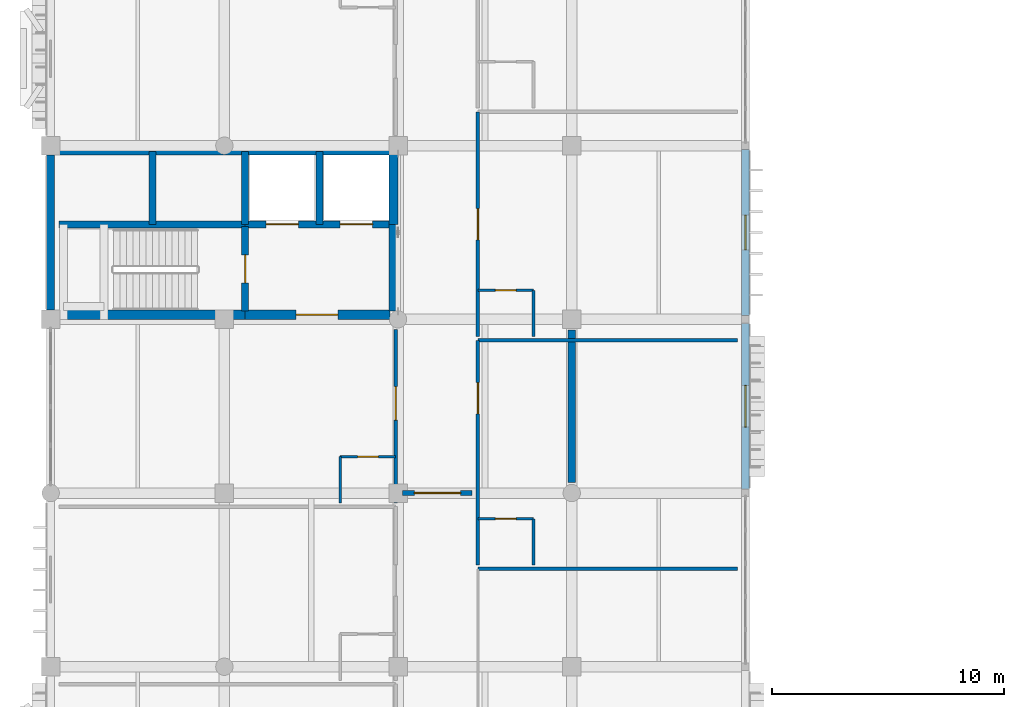
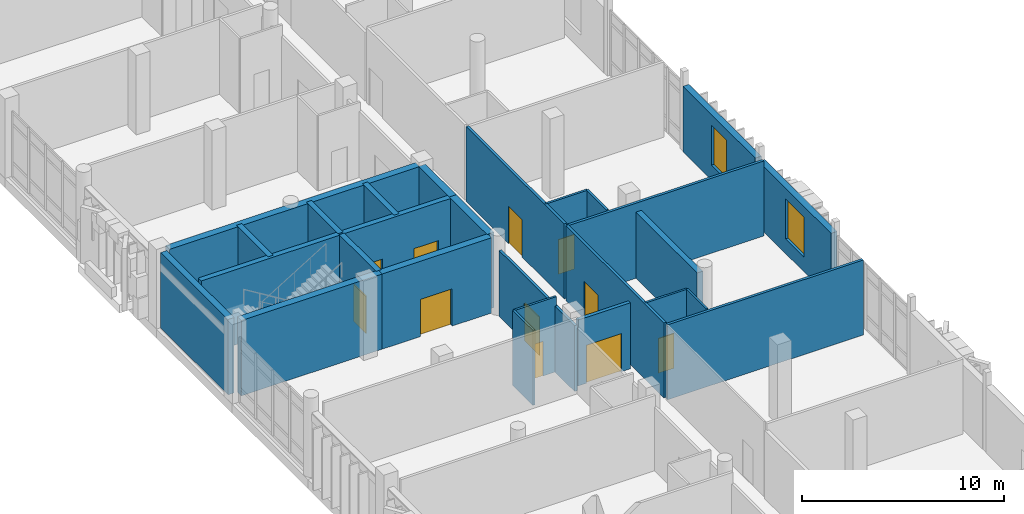
# One storey, part 101 of 131: 27 walls, 11 doors, 2 windows, 13 openings.
"""IFC4 building model written with IfcOpenShell, lengths in metres."""

from ifc_helpers import new_model, si_unit, direction, frame, frame_2d, origin, place, context, subcontext, project, spatial, rectangle, extrude, material, layer, layer_set, type_object, element, fill, save


model = new_model("IFC4")

# Units and contexts
model_context = context("Model", 3, precision=1e-05, world=origin(), true_north=direction((0.0, 1.0)))
body_context = subcontext(model_context, "Body", "Model", "MODEL_VIEW")
ifc_project = project(units=[si_unit("LENGTHUNIT", "METRE"), si_unit("AREAUNIT", "SQUARE_METRE"), si_unit("VOLUMEUNIT", "CUBIC_METRE"), si_unit("PLANEANGLEUNIT", "RADIAN"), si_unit("MASSUNIT", "GRAM", prefix="KILO")], contexts=[model_context])

# Site, building, storey
site_placement = place(None, origin())
site = spatial("IfcSite", under=ifc_project, at=site_placement, CompositionType="ELEMENT")
building_placement = place(site_placement, origin())
building = spatial("IfcBuilding", under=site, at=building_placement, Name="Dalvernix Boulevard General Hospital", CompositionType="ELEMENT")
storey_placement = place(building_placement, frame((0.0, 0.0, 9.300048828125)))
storey = spatial("IfcBuildingStorey", under=building, at=storey_placement, Name="L02", CompositionType="ELEMENT", Elevation=9.300048828125)

# Wall
ifc_material_1 = material(Name="Concrete C40/50", Category="concrete")
ifc_layer_1 = layer(ifc_material_1, 0.39990234375)
ifc_layer_set_1 = layer_set([ifc_layer_1], Name="Concrete C40/50 (WAL-CSW-01)")
wall_type_1 = type_object("IfcWallType", Name="WAL-CSW-01", PredefinedType="SHEAR", material=ifc_layer_set_1)
wall_1_placement = place(storey_placement, frame((0.35009765625, 54.199951171875, 0.0), z_axis=(0.0, 0.0, 1.0), x_axis=(1.0, 0.0, 0.0)))
element("IfcWall", 1, at=wall_1_placement, inside=storey, type_object=wall_type_1, Name="L02 C2 south stairwell wall", PredefinedType="SHEAR", context=body_context, shape_type="SweptSolid", body=[
    extrude(rectangle(XDim=8.0498046875, YDim=0.39990234375, at=frame_2d((4.02490234375, 0.0))), origin(), (0.0, 0.0, 1.0), 4.550048828125),
])

# Wall, opening, door
wall_2_placement = place(storey_placement, frame((8.39990234375, 54.199951171875, 0.0), z_axis=(0.0, 0.0, 1.0), x_axis=(1.0, 0.0, 0.0)))
wall_2 = element("IfcWall", 2, at=wall_2_placement, inside=storey, type_object=wall_type_1, Name="L02 C2 south firefighting lobby wall", PredefinedType="SHEAR", context=body_context, shape_type="SweptSolid", body=[
    extrude(rectangle(XDim=6.25, YDim=0.39990234375, at=frame_2d((3.125, 0.0))), origin(), (0.0, 0.0, 1.0), 4.550048828125),
])
opening_1_placement = place(wall_2_placement, frame((2.199951171875, 0.0, 0.0)))
opening_1 = element("IfcOpeningElement", 3, at=opening_1_placement, cuts=wall_2, Name="Opening FD-01", PredefinedType="OPENING", context=body_context, shape_type="SweptSolid", body=[
    extrude(rectangle(XDim=1.800048828125, YDim=2.25, at=frame_2d((0.89990234375, 1.125))), frame((0.0, 0.2099609375, 0.0), z_axis=(0.0, -1.0, 0.0), x_axis=(1.0, 0.0, 0.0)), (0.0, 0.0, 1.0), 0.419921875),
])
ifc_material_2 = material(Name="Hospital laminate acoustic timber and steel frame", Category="steel")
door_type_1 = type_object("IfcDoorType", Name="DR-FD-01", OperationType="DOUBLE_DOOR_SINGLE_SWING", PredefinedType="DOOR", material=ifc_material_2)
door_1_placement = place(opening_1_placement, origin())
door_1 = element("IfcDoor", 4, at=door_1_placement, inside=storey, type_object=door_type_1, Name="L02 C2 firefighting lobby door", OperationType="DOUBLE_DOOR_SINGLE_SWING", OverallHeight=2.25, OverallWidth=1.800048828125, PredefinedType="DOOR", context=body_context, shape_type="SweptSolid", body=[
    extrude(rectangle(XDim=1.800048828125, YDim=2.25, at=frame_2d((0.89990234375, 1.125))), frame((0.0, 0.02490234375, 0.0), z_axis=(0.0, -1.0, 0.0), x_axis=(1.0, 0.0, 0.0)), (0.0, 0.0, 1.0), 0.050048828125),
])
fill(opening_1, door_1)

# Walls
wall_3_placement = place(storey_placement, frame((0.35009765625, 61.300048828125, 0.0), z_axis=(0.0, 0.0, 1.0), x_axis=(1.0, 0.0, 0.0)))
element("IfcWall", 5, at=wall_3_placement, inside=storey, type_object=wall_type_1, Name="L02 C2 north shaft core wall", PredefinedType="SHEAR", context=body_context, shape_type="SweptSolid", body=[
    extrude(rectangle(XDim=14.2998046875, YDim=0.39990234375, at=frame_2d((7.14990234375, 0.0))), origin(), (0.0, 0.0, 1.0), 4.550048828125),
])
wall_4_placement = place(storey_placement, frame((14.800048828125, 54.35009765625, 0.0), z_axis=(0.0, 0.0, 1.0), x_axis=(0.0, 1.0, 0.0)))
element("IfcWall", 6, at=wall_4_placement, inside=storey, type_object=wall_type_1, Name="L02 C2 east lobby core wall", PredefinedType="SHEAR", context=body_context, shape_type="SweptSolid", body=[
    extrude(rectangle(XDim=3.75, YDim=0.39990234375, at=frame_2d((1.875, 0.0))), origin(), (0.0, 0.0, 1.0), 4.550048828125),
])
wall_5_placement = place(storey_placement, frame((14.800048828125, 58.10009765625, 0.0), z_axis=(0.0, 0.0, 1.0), x_axis=(0.0, 1.0, 0.0)))
element("IfcWall", 7, at=wall_5_placement, inside=storey, type_object=wall_type_1, Name="L02 C2 east shaft core wall", PredefinedType="SHEAR", context=body_context, shape_type="SweptSolid", body=[
    extrude(rectangle(XDim=3.0498046875, YDim=0.39990234375, at=frame_2d((1.52490234375, 0.0))), origin(), (0.0, 0.0, 1.0), 4.550048828125),
])
ifc_layer_2 = layer(ifc_material_1, 0.300048828125)
ifc_layer_set_2 = layer_set([ifc_layer_2], Name="Concrete C40/50 (WAL-CSW-02)")
wall_type_2 = type_object("IfcWallType", Name="WAL-CSW-02", PredefinedType="SHEAR", material=ifc_layer_set_2)
wall_6_placement = place(storey_placement, frame((0.35009765625, 58.10009765625, 0.0), z_axis=(0.0, 0.0, 1.0), x_axis=(1.0, 0.0, 0.0)))
element("IfcWall", 8, at=wall_6_placement, inside=storey, type_object=wall_type_2, Name="L02 C2 riser spine wall", PredefinedType="SHEAR", context=body_context, shape_type="SweptSolid", body=[
    extrude(rectangle(XDim=8.0498046875, YDim=0.300048828125, at=frame_2d((4.02490234375, 0.0))), origin(), (0.0, 0.0, 1.0), 4.550048828125),
])

# Wall, openings, doors
wall_7_placement = place(storey_placement, frame((8.39990234375, 58.10009765625, 0.0), z_axis=(0.0, 0.0, 1.0), x_axis=(1.0, 0.0, 0.0)))
wall_7 = element("IfcWall", 9, at=wall_7_placement, inside=storey, type_object=wall_type_2, Name="L02 C2 lift shaft front wall", PredefinedType="SHEAR", context=body_context, shape_type="SweptSolid", body=[
    extrude(rectangle(XDim=6.25, YDim=0.300048828125, at=frame_2d((3.125, 0.0))), origin(), (0.0, 0.0, 1.0), 4.550048828125),
])
opening_2_placement = place(wall_7_placement, frame((0.89990234375, 0.0, 0.0)))
opening_2 = element("IfcOpeningElement", 10, at=opening_2_placement, cuts=wall_7, Name="Opening LD-FFL-03-L02", PredefinedType="OPENING", context=body_context, shape_type="SweptSolid", body=[
    extrude(rectangle(XDim=1.39990234375, YDim=2.25, at=frame_2d((0.699951171875, 1.125))), frame((0.0, 0.159912109375, 0.0), z_axis=(0.0, -1.0, 0.0), x_axis=(1.0, 0.0, 0.0)), (0.0, 0.0, 1.0), 0.320068359375),
])
opening_3_placement = place(wall_7_placement, frame((4.10009765625, 0.0, 0.0)))
opening_3 = element("IfcOpeningElement", 11, at=opening_3_placement, cuts=wall_7, Name="Opening LD-FFL-04-L02", PredefinedType="OPENING", context=body_context, shape_type="SweptSolid", body=[
    extrude(rectangle(XDim=1.39990234375, YDim=2.25, at=frame_2d((0.699951171875, 1.125))), frame((0.0, 0.159912109375, 0.0), z_axis=(0.0, -1.0, 0.0), x_axis=(1.0, 0.0, 0.0)), (0.0, 0.0, 1.0), 0.320068359375),
])
ifc_material_3 = material(Name="Stainless-clad steel", Category="steel")
door_type_2 = type_object("IfcDoorType", Name="DR-LD-01", OperationType="DOUBLE_DOOR_SLIDING", PredefinedType="DOOR", material=ifc_material_3)
door_2_placement = place(opening_2_placement, origin())
door_2 = element("IfcDoor", 12, at=door_2_placement, inside=storey, type_object=door_type_2, Name="L02 Lift FFL-03 sliding landing door", OperationType="DOUBLE_DOOR_SLIDING", OverallHeight=2.25, OverallWidth=1.39990234375, PredefinedType="DOOR", context=body_context, shape_type="SweptSolid", body=[
    extrude(rectangle(XDim=1.39990234375, YDim=2.25, at=frame_2d((0.699951171875, 1.125))), frame((0.0, 0.02490234375, 0.0), z_axis=(0.0, -1.0, 0.0), x_axis=(1.0, 0.0, 0.0)), (0.0, 0.0, 1.0), 0.050048828125),
])
fill(opening_2, door_2)
door_3_placement = place(opening_3_placement, origin())
door_3 = element("IfcDoor", 13, at=door_3_placement, inside=storey, type_object=door_type_2, Name="L02 Lift FFL-04 sliding landing door", OperationType="DOUBLE_DOOR_SLIDING", OverallHeight=2.25, OverallWidth=1.39990234375, PredefinedType="DOOR", context=body_context, shape_type="SweptSolid", body=[
    extrude(rectangle(XDim=1.39990234375, YDim=2.25, at=frame_2d((0.699951171875, 1.125))), frame((0.0, 0.02490234375, 0.0), z_axis=(0.0, -1.0, 0.0), x_axis=(1.0, 0.0, 0.0)), (0.0, 0.0, 1.0), 0.050048828125),
])
fill(opening_3, door_3)

# Wall, opening, door
wall_8_placement = place(storey_placement, frame((8.39990234375, 58.0, 0.0), z_axis=(0.0, 0.0, 1.0), x_axis=(0.0, -1.0, 0.0)))
wall_8 = element("IfcWall", 14, at=wall_8_placement, inside=storey, type_object=wall_type_2, Name="L02 C2 stairwell fire wall", PredefinedType="SHEAR", context=body_context, shape_type="SweptSolid", body=[
    extrude(rectangle(XDim=3.64990234375, YDim=0.300048828125, at=frame_2d((1.824951171875, 0.0))), origin(), (0.0, 0.0, 1.0), 4.550048828125),
])
opening_4_placement = place(wall_8_placement, frame((1.219970703125, 0.0, 0.0)))
opening_4 = element("IfcOpeningElement", 15, at=opening_4_placement, cuts=wall_8, Name="Opening FD-02", PredefinedType="OPENING", context=body_context, shape_type="SweptSolid", body=[
    extrude(rectangle(XDim=1.199951171875, YDim=2.25, at=frame_2d((0.60009765625, 1.125))), frame((0.0, 0.159912109375, 0.0), z_axis=(0.0, -1.0, 0.0), x_axis=(1.0, 0.0, 0.0)), (0.0, 0.0, 1.0), 0.320068359375),
])
door_type_3 = type_object("IfcDoorType", Name="DR-FD-02", OperationType="NOTDEFINED", PredefinedType="DOOR", material=ifc_material_2)
door_4_placement = place(opening_4_placement, origin())
door_4 = element("IfcDoor", 16, at=door_4_placement, inside=storey, type_object=door_type_3, Name="L02 Stair ST-02 fire door", OperationType="SINGLE_SWING_RIGHT", OverallHeight=2.25, OverallWidth=1.199951171875, PredefinedType="DOOR", context=body_context, shape_type="SweptSolid", body=[
    extrude(rectangle(XDim=1.199951171875, YDim=2.25, at=frame_2d((0.60009765625, 1.125))), frame((0.0, 0.02490234375, 0.0), z_axis=(0.0, -1.0, 0.0), x_axis=(1.0, 0.0, 0.0)), (0.0, 0.0, 1.0), 0.050048828125),
])
fill(opening_4, door_4)

# Walls
for number, where, z_axis, x_axis, name in (
    (17, (4.39990234375, 58.10009765625, 0.0), (0.0, 0.0, 1.0), (0.0, 1.0, 0.0), "L02 C2 shaft divider R1"),
    (18, (8.39990234375, 58.10009765625, 0.0), (0.0, 0.0, 1.0), (0.0, 1.0, 0.0), "L02 C2 shaft divider R2"),
    (19, (11.60009765625, 58.10009765625, 0.0), (0.0, 0.0, 1.0), (0.0, 1.0, 0.0), "L02 C2 shaft divider L1"),
):
    element("IfcWall", number, at=place(storey_placement, frame(where, z_axis=z_axis, x_axis=x_axis)), inside=storey, type_object=wall_type_2, Name=name, PredefinedType="SHEAR", context=body_context, shape_type="SweptSolid", body=[
        extrude(rectangle(XDim=3.14990234375, YDim=0.300048828125, at=frame_2d((1.574951171875, 0.0))), origin(), (0.0, 0.0, 1.0), 4.550048828125),
    ])
ifc_layer_3 = layer(ifc_material_1, 0.35009765625)
ifc_layer_set_3 = layer_set([ifc_layer_3], Name="Concrete C40/50 (WAL-ESW-01)")
wall_type_3 = type_object("IfcWallType", Name="WAL-ESW-01", PredefinedType="SHEAR", material=ifc_layer_set_3)
wall_9_placement = place(storey_placement, frame((0.0, 54.409912109375, 0.0), z_axis=(0.0, 0.0, 1.0), x_axis=(0.0, 1.0, 0.0)))
element("IfcWall", 20, at=wall_9_placement, inside=storey, type_object=wall_type_3, Name="L02 core perimeter shear wall W 0-7", PredefinedType="SHEAR", context=body_context, shape_type="SweptSolid", body=[
    extrude(rectangle(XDim=6.68017578125, YDim=0.35009765625, at=frame_2d((3.340087890625, 0.0))), origin(), (0.0, 0.0, 1.0), 4.550048828125),
])
ifc_layer_4 = layer(ifc_material_1, 0.320068359375)
ifc_layer_set_4 = layer_set([ifc_layer_4], Name="Concrete C40/50 (WAL-ESW-02)")
wall_type_4 = type_object("IfcWallType", Name="WAL-ESW-02", PredefinedType="SHEAR", material=ifc_layer_set_4)
wall_10_placement = place(storey_placement, frame((22.5, 46.949951171875, 0.0), z_axis=(0.0, 0.0, 1.0), x_axis=(0.0, 1.0, 0.0)))
element("IfcWall", 21, at=wall_10_placement, inside=storey, type_object=wall_type_4, Name="L02 reinforced concrete shear wall 2", PredefinedType="SHEAR", context=body_context, shape_type="SweptSolid", body=[
    extrude(rectangle(XDim=6.60009765625, YDim=0.320068359375, at=frame_2d((3.300048828125, 0.0))), origin(), (0.0, 0.0, 1.0), 4.0),
])

# Wall, opening, window
ifc_material_4 = material(Name="Pressed Catalan clay brick and insulated concrete cavity wall C35/45", Category="masonry")
ifc_layer_5 = layer(ifc_material_4, 0.35009765625)
ifc_layer_set_5 = layer_set([ifc_layer_5], Name="Pressed Catalan clay brick and insulated concrete cavity wall C35/45 (WAL-EW-01)")
wall_type_5 = type_object("IfcWallType", Name="WAL-EW-01", PredefinedType="STANDARD", material=ifc_layer_set_5)
wall_11_placement = place(storey_placement, frame((30.0, 53.830078125, 0.0), z_axis=(0.0, 0.0, 1.0), x_axis=(0.0, -1.0, 0.0)))
wall_11 = element("IfcWall", 22, at=wall_11_placement, inside=storey, type_object=wall_type_5, Name="L02 Catalan brick external wall E 4-6", PredefinedType="STANDARD", context=body_context, shape_type="SweptSolid", body=[
    extrude(rectangle(XDim=7.16015625, YDim=0.35009765625, at=frame_2d((3.580078125, 0.0))), origin(), (0.0, 0.0, 1.0), 3.949951171875),
])
opening_5_placement = place(wall_11_placement, frame((2.679931640625, 0.0, 0.89990234375)))
opening_5 = element("IfcOpeningElement", 23, at=opening_5_placement, cuts=wall_11, Name="Opening WN-01", PredefinedType="OPENING", context=body_context, shape_type="SweptSolid", body=[
    extrude(rectangle(XDim=1.800048828125, YDim=2.39990234375, at=frame_2d((0.89990234375, 1.199951171875))), frame((0.0, 0.18505859375, 0.0), z_axis=(0.0, -1.0, 0.0), x_axis=(1.0, 0.0, 0.0)), (0.0, 0.0, 1.0), 0.3701171875),
])
ifc_material_5 = material(Name="Thermally broken aluminium frame with solar-control double glazing", Category="aluminium")
window_type_1 = type_object("IfcWindowType", Name="WIN-WN-01", PartitioningType="SINGLE_PANEL", PredefinedType="WINDOW", material=ifc_material_5)
window_1_placement = place(opening_5_placement, origin())
window_1 = element("IfcWindow", 24, at=window_1_placement, inside=storey, type_object=window_type_1, Name="L02 clinical window WN-01 E 4-6", OverallHeight=2.39990234375, OverallWidth=1.800048828125, PartitioningType="SINGLE_PANEL", PredefinedType="WINDOW", context=body_context, shape_type="SweptSolid", body=[
    extrude(rectangle(XDim=1.800048828125, YDim=2.39990234375, at=frame_2d((0.89990234375, 1.199951171875))), frame((0.0, 0.030029296875, 0.0), z_axis=(0.0, -1.0, 0.0), x_axis=(1.0, 0.0, 0.0)), (0.0, 0.0, 1.0), 0.06005859375),
])
fill(opening_5, window_1)

wall_12_placement = place(storey_placement, frame((30.0, 61.330078125, 0.0), z_axis=(0.0, 0.0, 1.0), x_axis=(0.0, -1.0, 0.0)))
wall_12 = element("IfcWall", 25, at=wall_12_placement, inside=storey, type_object=wall_type_5, Name="L02 Catalan brick external wall E 4-7", PredefinedType="STANDARD", context=body_context, shape_type="SweptSolid", body=[
    extrude(rectangle(XDim=7.16015625, YDim=0.35009765625, at=frame_2d((3.580078125, 0.0))), origin(), (0.0, 0.0, 1.0), 3.949951171875),
])
opening_6_placement = place(wall_12_placement, frame((2.830078125, 0.0, 0.89990234375)))
opening_6 = element("IfcOpeningElement", 26, at=opening_6_placement, cuts=wall_12, Name="Opening WN-02", PredefinedType="OPENING", context=body_context, shape_type="SweptSolid", body=[
    extrude(rectangle(XDim=1.5, YDim=2.39990234375, at=frame_2d((0.75, 1.199951171875))), frame((0.0, 0.18505859375, 0.0), z_axis=(0.0, -1.0, 0.0), x_axis=(1.0, 0.0, 0.0)), (0.0, 0.0, 1.0), 0.3701171875),
])
window_type_2 = type_object("IfcWindowType", Name="WIN-WN-02", PartitioningType="SINGLE_PANEL", PredefinedType="WINDOW", material=ifc_material_5)
window_2_placement = place(opening_6_placement, origin())
window_2 = element("IfcWindow", 27, at=window_2_placement, inside=storey, type_object=window_type_2, Name="L02 clinical window WN-02 E 4-7", OverallHeight=2.39990234375, OverallWidth=1.5, PartitioningType="SINGLE_PANEL", PredefinedType="WINDOW", context=body_context, shape_type="SweptSolid", body=[
    extrude(rectangle(XDim=1.5, YDim=2.39990234375, at=frame_2d((0.75, 1.199951171875))), frame((0.0, 0.030029296875, 0.0), z_axis=(0.0, -1.0, 0.0), x_axis=(1.0, 0.0, 0.0)), (0.0, 0.0, 1.0), 0.06005859375),
])
fill(opening_6, window_2)

# Wall, opening, door
ifc_material_6 = material(Name="Fire-compartment corridor masonry wall", Category="masonry")
ifc_layer_6 = layer(ifc_material_6, 0.199951171875)
ifc_layer_set_6 = layer_set([ifc_layer_6], Name="Fire-compartment corridor masonry wall (WAL-IW-02)")
wall_type_6 = type_object("IfcWallType", Name="WAL-IW-02", PredefinedType="STANDARD", material=ifc_layer_set_6)
wall_13_placement = place(storey_placement, frame((15.199951171875, 46.5, 0.0), z_axis=(0.0, 0.0, 1.0), x_axis=(1.0, 0.0, 0.0)))
wall_13 = element("IfcWall", 28, at=wall_13_placement, inside=storey, type_object=wall_type_6, Name="L02 horizontal progressive evacuation compartment wall 3", PredefinedType="STANDARD", context=body_context, shape_type="SweptSolid", body=[
    extrude(rectangle(XDim=3.0, YDim=0.199951171875, at=frame_2d((1.5, 0.0))), origin(), (0.0, 0.0, 1.0), 3.98486328125),
])
opening_7_placement = place(wall_13_placement, frame((0.5, 0.0, 0.0)))
opening_7 = element("IfcOpeningElement", 29, at=opening_7_placement, cuts=wall_13, Name="Opening FD-03", PredefinedType="OPENING", context=body_context, shape_type="SweptSolid", body=[
    extrude(rectangle(XDim=2.0, YDim=2.300048828125, at=frame_2d((1.0, 1.14990234375))), frame((0.0, 0.10986328125, 0.0), z_axis=(0.0, -1.0, 0.0), x_axis=(1.0, 0.0, 0.0)), (0.0, 0.0, 1.0), 0.219970703125),
])
door_type_4 = type_object("IfcDoorType", Name="DR-FD-03", OperationType="DOUBLE_DOOR_SINGLE_SWING", PredefinedType="DOOR", material=ifc_material_2)
door_5_placement = place(opening_7_placement, origin())
door_5 = element("IfcDoor", 30, at=door_5_placement, inside=storey, type_object=door_type_4, Name="L02 horizontal compartment hold-open fire door 3", OperationType="DOUBLE_DOOR_SINGLE_SWING", OverallHeight=2.300048828125, OverallWidth=2.0, PredefinedType="DOOR", context=body_context, shape_type="SweptSolid", body=[
    extrude(rectangle(XDim=2.0, YDim=2.300048828125, at=frame_2d((1.0, 1.14990234375))), frame((0.0, 0.02490234375, 0.0), z_axis=(0.0, -1.0, 0.0), x_axis=(1.0, 0.0, 0.0)), (0.0, 0.0, 1.0), 0.050048828125),
])
fill(opening_7, door_5)

ifc_material_7 = material(Name="Acoustic double-stud gypsum inpatient partition")
ifc_layer_7 = layer(ifc_material_7, 0.14990234375)
ifc_layer_set_7 = layer_set([ifc_layer_7], Name="Acoustic double-stud gypsum inpatient partition (WAL-IW-04)")
wall_type_7 = type_object("IfcWallType", Name="WAL-IW-04", PredefinedType="PARTITIONING", material=ifc_layer_set_7)
wall_14_placement = place(storey_placement, frame((14.89990234375, 46.070068359375, 0.0), z_axis=(0.0, 0.0, 1.0), x_axis=(0.0, 1.0, 0.0)))
wall_14 = element("IfcWall", 31, at=wall_14_placement, inside=storey, type_object=wall_type_7, Name="L02 Four Bed Observation Ward L02-W06 corridor wall", PredefinedType="PARTITIONING", context=body_context, shape_type="SweptSolid", body=[
    extrude(rectangle(XDim=7.5, YDim=0.14990234375, at=frame_2d((3.75, 0.0))), origin(), (0.0, 0.0, 1.0), 3.98486328125),
])
opening_8_placement = place(wall_14_placement, frame((3.580078125, 0.0, 0.0)))
opening_8 = element("IfcOpeningElement", 32, at=opening_8_placement, cuts=wall_14, Name="Opening ID-02", PredefinedType="OPENING", context=body_context, shape_type="SweptSolid", body=[
    extrude(rectangle(XDim=1.449951171875, YDim=2.300048828125, at=frame_2d((0.72509765625, 1.14990234375))), frame((0.0, 0.0849609375, 0.0), z_axis=(0.0, -1.0, 0.0), x_axis=(1.0, 0.0, 0.0)), (0.0, 0.0, 1.0), 0.169921875),
])
door_type_5 = type_object("IfcDoorType", Name="DR-ID-02", OperationType="NOTDEFINED", PredefinedType="DOOR", material=ifc_material_2)
door_6_placement = place(opening_8_placement, origin())
door_6 = element("IfcDoor", 33, at=door_6_placement, inside=storey, type_object=door_type_5, Name="L02 Four Bed Observation Ward L02-W06 door", OperationType="SINGLE_SWING_LEFT", OverallHeight=2.300048828125, OverallWidth=1.449951171875, PredefinedType="DOOR", context=body_context, shape_type="SweptSolid", body=[
    extrude(rectangle(XDim=1.449951171875, YDim=2.300048828125, at=frame_2d((0.72509765625, 1.14990234375))), frame((0.0, 0.02490234375, 0.0), z_axis=(0.0, -1.0, 0.0), x_axis=(1.0, 0.0, 0.0)), (0.0, 0.0, 1.0), 0.050048828125),
])
fill(opening_8, door_6)

wall_15_placement = place(storey_placement, frame((18.449951171875, 53.094970703125, 0.0), z_axis=(0.0, 0.0, 1.0), x_axis=(0.0, -1.0, 0.0)))
wall_15 = element("IfcWall", 34, at=wall_15_placement, inside=storey, type_object=wall_type_7, Name="L02 Single Patient Room L02-E03 corridor wall", PredefinedType="PARTITIONING", context=body_context, shape_type="SweptSolid", body=[
    extrude(rectangle(XDim=9.708740234375, YDim=0.14990234375, at=frame_2d((4.8544921875, 0.0))), origin(), (0.0, 0.0, 1.0), 4.534912109375),
])
opening_9_placement = place(wall_15_placement, frame((1.82177734375, 0.0, 0.0)))
opening_9 = element("IfcOpeningElement", 35, at=opening_9_placement, cuts=wall_15, Name="Opening ID-01", PredefinedType="OPENING", context=body_context, shape_type="SweptSolid", body=[
    extrude(rectangle(XDim=1.35009765625, YDim=2.25, at=frame_2d((0.675048828125, 1.125))), frame((0.0, 0.0849609375, 0.0), z_axis=(0.0, -1.0, 0.0), x_axis=(1.0, 0.0, 0.0)), (0.0, 0.0, 1.0), 0.169921875),
])
door_type_6 = type_object("IfcDoorType", Name="DR-ID-01", OperationType="NOTDEFINED", PredefinedType="DOOR", material=ifc_material_2)
door_7_placement = place(opening_9_placement, origin())
door_7 = element("IfcDoor", 36, at=door_7_placement, inside=storey, type_object=door_type_6, Name="L02 Single Patient Room L02-E03 door", OperationType="SINGLE_SWING_RIGHT", OverallHeight=2.25, OverallWidth=1.35009765625, PredefinedType="DOOR", context=body_context, shape_type="SweptSolid", body=[
    extrude(rectangle(XDim=1.35009765625, YDim=2.25, at=frame_2d((0.675048828125, 1.125))), frame((0.0, 0.02490234375, 0.0), z_axis=(0.0, -1.0, 0.0), x_axis=(1.0, 0.0, 0.0)), (0.0, 0.0, 1.0), 0.050048828125),
])
fill(opening_9, door_7)

wall_16_placement = place(storey_placement, frame((18.449951171875, 62.9638671875, 0.0), z_axis=(0.0, 0.0, 1.0), x_axis=(0.0, -1.0, 0.0)))
wall_16 = element("IfcWall", 37, at=wall_16_placement, inside=storey, type_object=wall_type_7, Name="L02 Single Patient Room L02-E04 corridor wall", PredefinedType="PARTITIONING", context=body_context, shape_type="SweptSolid", body=[
    extrude(rectangle(XDim=9.708984375, YDim=0.14990234375, at=frame_2d((4.8544921875, 0.0))), origin(), (0.0, 0.0, 1.0), 4.534912109375),
])
opening_10_placement = place(wall_16_placement, frame((4.179443359375, 0.0, 0.0)))
opening_10 = element("IfcOpeningElement", 38, at=opening_10_placement, cuts=wall_16, Name="Opening ID-01", PredefinedType="OPENING", context=body_context, shape_type="SweptSolid", body=[
    extrude(rectangle(XDim=1.35009765625, YDim=2.25, at=frame_2d((0.675048828125, 1.125))), frame((0.0, 0.0849609375, 0.0), z_axis=(0.0, -1.0, 0.0), x_axis=(1.0, 0.0, 0.0)), (0.0, 0.0, 1.0), 0.169921875),
])
door_8_placement = place(opening_10_placement, origin())
door_8 = element("IfcDoor", 39, at=door_8_placement, inside=storey, type_object=door_type_6, Name="L02 Single Patient Room L02-E04 door", OperationType="SINGLE_SWING_RIGHT", OverallHeight=2.25, OverallWidth=1.35009765625, PredefinedType="DOOR", context=body_context, shape_type="SweptSolid", body=[
    extrude(rectangle(XDim=1.35009765625, YDim=2.25, at=frame_2d((0.675048828125, 1.125))), frame((0.0, 0.02490234375, 0.0), z_axis=(0.0, -1.0, 0.0), x_axis=(1.0, 0.0, 0.0)), (0.0, 0.0, 1.0), 0.050048828125),
])
fill(opening_10, door_8)

# Walls
for number, where, z_axis, x_axis, name in (
    (40, (18.449951171875, 43.226318359375, 0.0), (0.0, 0.0, 1.0), (1.0, 0.0, 0.0), "L02 Patient and Family Day Lounge L02 partition"),
    (41, (18.449951171875, 53.094970703125, 0.0), (0.0, 0.0, 1.0), (1.0, 0.0, 0.0), "L02 Single Patient Room L02-E03 partition"),
):
    element("IfcWall", number, at=place(storey_placement, frame(where, z_axis=z_axis, x_axis=x_axis)), inside=storey, type_object=wall_type_7, Name=name, PredefinedType="PARTITIONING", context=body_context, shape_type="SweptSolid", body=[
        extrude(rectangle(XDim=11.199951171875, YDim=0.14990234375, at=frame_2d((5.60009765625, 0.0))), origin(), (0.0, 0.0, 1.0), 4.534912109375),
    ])

# Wall, opening, door
ifc_material_8 = material(Name="Moisture-resistant en-suite bathroom partition")
ifc_layer_8 = layer(ifc_material_8, 0.1201171875)
ifc_layer_set_8 = layer_set([ifc_layer_8], Name="Moisture-resistant en-suite bathroom partition (WAL-IW-05)")
wall_type_8 = type_object("IfcWallType", Name="WAL-IW-05", PredefinedType="PARTITIONING", material=ifc_layer_set_8)
wall_17_placement = place(storey_placement, frame((14.89990234375, 48.070068359375, 0.0), z_axis=(0.0, 0.0, 1.0), x_axis=(-1.0, 0.0, 0.0)))
wall_17 = element("IfcWall", 42, at=wall_17_placement, inside=storey, type_object=wall_type_8, Name="L02 en-suite bathroom door wall", PredefinedType="PARTITIONING", context=body_context, shape_type="SweptSolid", body=[
    extrude(rectangle(XDim=2.39990234375, YDim=0.1201171875, at=frame_2d((1.199951171875, 0.0))), origin(), (0.0, 0.0, 1.0), 4.534912109375),
])
opening_11_placement = place(wall_17_placement, frame((0.75, 0.0, 0.0)))
opening_11 = element("IfcOpeningElement", 43, at=opening_11_placement, cuts=wall_17, Name="Opening ID-05", PredefinedType="OPENING", context=body_context, shape_type="SweptSolid", body=[
    extrude(rectangle(XDim=0.89990234375, YDim=2.10009765625, at=frame_2d((0.449951171875, 1.050048828125))), frame((0.0, 0.070068359375, 0.0), z_axis=(0.0, -1.0, 0.0), x_axis=(1.0, 0.0, 0.0)), (0.0, 0.0, 1.0), 0.14013671875),
])
door_type_7 = type_object("IfcDoorType", Name="DR-ID-05", OperationType="NOTDEFINED", PredefinedType="DOOR", material=ifc_material_2)
door_9_placement = place(opening_11_placement, origin())
door_9 = element("IfcDoor", 44, at=door_9_placement, inside=storey, type_object=door_type_7, Name="L02 L02-WRD-W06 en-suite bathroom door", OperationType="SINGLE_SWING_RIGHT", OverallHeight=2.10009765625, OverallWidth=0.89990234375, PredefinedType="DOOR", context=body_context, shape_type="SweptSolid", body=[
    extrude(rectangle(XDim=0.89990234375, YDim=2.10009765625, at=frame_2d((0.449951171875, 1.050048828125))), frame((0.0, 0.02490234375, 0.0), z_axis=(0.0, -1.0, 0.0), x_axis=(1.0, 0.0, 0.0)), (0.0, 0.0, 1.0), 0.050048828125),
])
fill(opening_11, door_9)

# Wall
wall_18_placement = place(storey_placement, frame((12.5, 46.070068359375, 0.0), z_axis=(0.0, 0.0, 1.0), x_axis=(0.0, 1.0, 0.0)))
element("IfcWall", 45, at=wall_18_placement, inside=storey, type_object=wall_type_8, Name="L02 en-suite bathroom side wall", PredefinedType="PARTITIONING", context=body_context, shape_type="SweptSolid", body=[
    extrude(rectangle(XDim=2.0, YDim=0.1201171875, at=frame_2d((1.0, 0.0))), origin(), (0.0, 0.0, 1.0), 4.534912109375),
])

# Wall, opening, door
wall_19_placement = place(storey_placement, frame((20.85009765625, 45.38623046875, 0.0), z_axis=(0.0, 0.0, 1.0), x_axis=(-1.0, 0.0, 0.0)))
wall_19 = element("IfcWall", 46, at=wall_19_placement, inside=storey, type_object=wall_type_8, Name="L02 en-suite bathroom door wall", PredefinedType="PARTITIONING", context=body_context, shape_type="SweptSolid", body=[
    extrude(rectangle(XDim=2.400146484375, YDim=0.1201171875, at=frame_2d((1.2001953125, 0.0))), origin(), (0.0, 0.0, 1.0), 4.534912109375),
])
opening_12_placement = place(wall_19_placement, frame((0.75, 0.0, 0.0)))
opening_12 = element("IfcOpeningElement", 47, at=opening_12_placement, cuts=wall_19, Name="Opening ID-05", PredefinedType="OPENING", context=body_context, shape_type="SweptSolid", body=[
    extrude(rectangle(XDim=0.89990234375, YDim=2.10009765625, at=frame_2d((0.449951171875, 1.050048828125))), frame((0.0, 0.070068359375, 0.0), z_axis=(0.0, -1.0, 0.0), x_axis=(1.0, 0.0, 0.0)), (0.0, 0.0, 1.0), 0.14013671875),
])
door_10_placement = place(opening_12_placement, origin())
door_10 = element("IfcDoor", 48, at=door_10_placement, inside=storey, type_object=door_type_7, Name="L02 L02-RM-E03 en-suite bathroom door", OperationType="SINGLE_SWING_LEFT", OverallHeight=2.10009765625, OverallWidth=0.89990234375, PredefinedType="DOOR", context=body_context, shape_type="SweptSolid", body=[
    extrude(rectangle(XDim=0.89990234375, YDim=2.10009765625, at=frame_2d((0.449951171875, 1.050048828125))), frame((0.0, 0.02490234375, 0.0), z_axis=(0.0, -1.0, 0.0), x_axis=(1.0, 0.0, 0.0)), (0.0, 0.0, 1.0), 0.050048828125),
])
fill(opening_12, door_10)

# Wall
wall_20_placement = place(storey_placement, frame((20.85009765625, 43.38623046875, 0.0), z_axis=(0.0, 0.0, 1.0), x_axis=(0.0, 1.0, 0.0)))
element("IfcWall", 49, at=wall_20_placement, inside=storey, type_object=wall_type_8, Name="L02 en-suite bathroom side wall", PredefinedType="PARTITIONING", context=body_context, shape_type="SweptSolid", body=[
    extrude(rectangle(XDim=2.0, YDim=0.1201171875, at=frame_2d((1.0, 0.0))), origin(), (0.0, 0.0, 1.0), 4.534912109375),
])

# Wall, opening, door
wall_21_placement = place(storey_placement, frame((20.85009765625, 55.2548828125, 0.0), z_axis=(0.0, 0.0, 1.0), x_axis=(-1.0, 0.0, 0.0)))
wall_21 = element("IfcWall", 50, at=wall_21_placement, inside=storey, type_object=wall_type_8, Name="L02 en-suite bathroom door wall", PredefinedType="PARTITIONING", context=body_context, shape_type="SweptSolid", body=[
    extrude(rectangle(XDim=2.400146484375, YDim=0.1201171875, at=frame_2d((1.2001953125, 0.0))), origin(), (0.0, 0.0, 1.0), 4.534912109375),
])
opening_13_placement = place(wall_21_placement, frame((0.75, 0.0, 0.0)))
opening_13 = element("IfcOpeningElement", 51, at=opening_13_placement, cuts=wall_21, Name="Opening ID-05", PredefinedType="OPENING", context=body_context, shape_type="SweptSolid", body=[
    extrude(rectangle(XDim=0.89990234375, YDim=2.10009765625, at=frame_2d((0.449951171875, 1.050048828125))), frame((0.0, 0.070068359375, 0.0), z_axis=(0.0, -1.0, 0.0), x_axis=(1.0, 0.0, 0.0)), (0.0, 0.0, 1.0), 0.14013671875),
])
door_11_placement = place(opening_13_placement, origin())
door_11 = element("IfcDoor", 52, at=door_11_placement, inside=storey, type_object=door_type_7, Name="L02 L02-RM-E04 en-suite bathroom door", OperationType="SINGLE_SWING_LEFT", OverallHeight=2.10009765625, OverallWidth=0.89990234375, PredefinedType="DOOR", context=body_context, shape_type="SweptSolid", body=[
    extrude(rectangle(XDim=0.89990234375, YDim=2.10009765625, at=frame_2d((0.449951171875, 1.050048828125))), frame((0.0, 0.02490234375, 0.0), z_axis=(0.0, -1.0, 0.0), x_axis=(1.0, 0.0, 0.0)), (0.0, 0.0, 1.0), 0.050048828125),
])
fill(opening_13, door_11)

# Wall
wall_22_placement = place(storey_placement, frame((20.85009765625, 53.2548828125, 0.0), z_axis=(0.0, 0.0, 1.0), x_axis=(0.0, 1.0, 0.0)))
element("IfcWall", 53, at=wall_22_placement, inside=storey, type_object=wall_type_8, Name="L02 en-suite bathroom side wall", PredefinedType="PARTITIONING", context=body_context, shape_type="SweptSolid", body=[
    extrude(rectangle(XDim=2.0, YDim=0.1201171875, at=frame_2d((1.0, 0.0))), origin(), (0.0, 0.0, 1.0), 4.534912109375),
])

save(model, "model.ifc")
